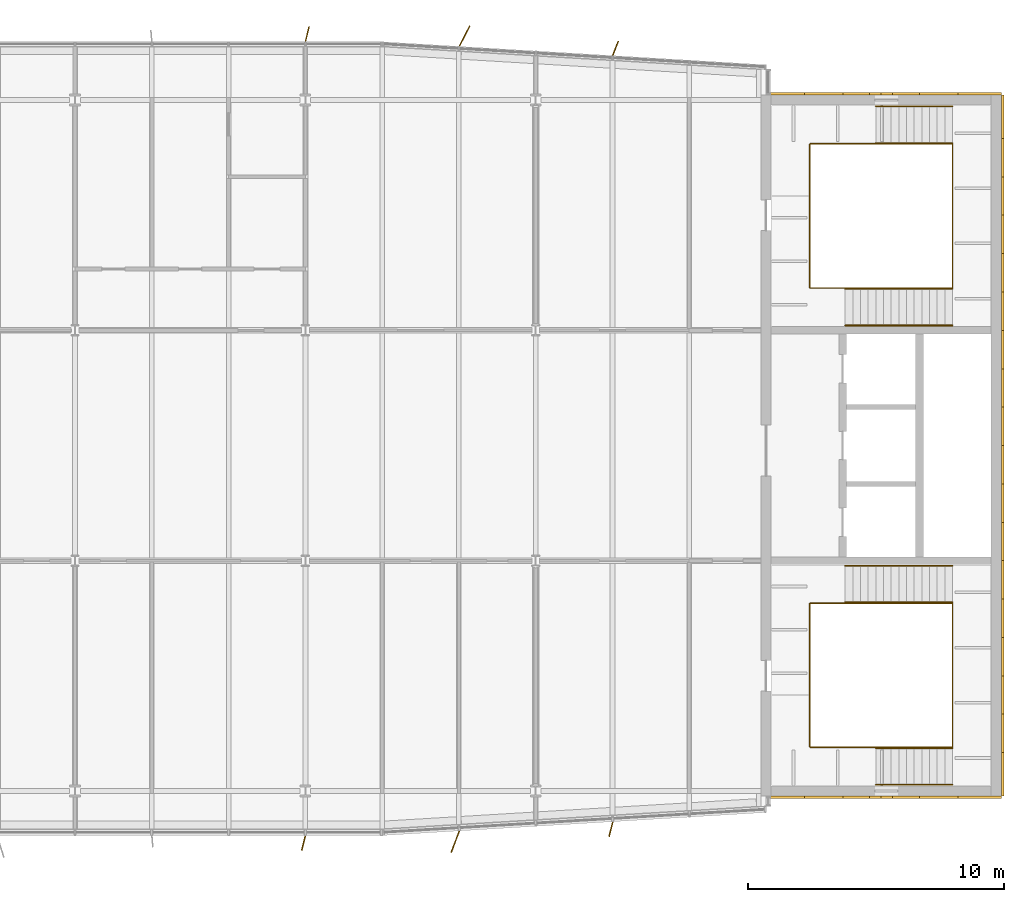
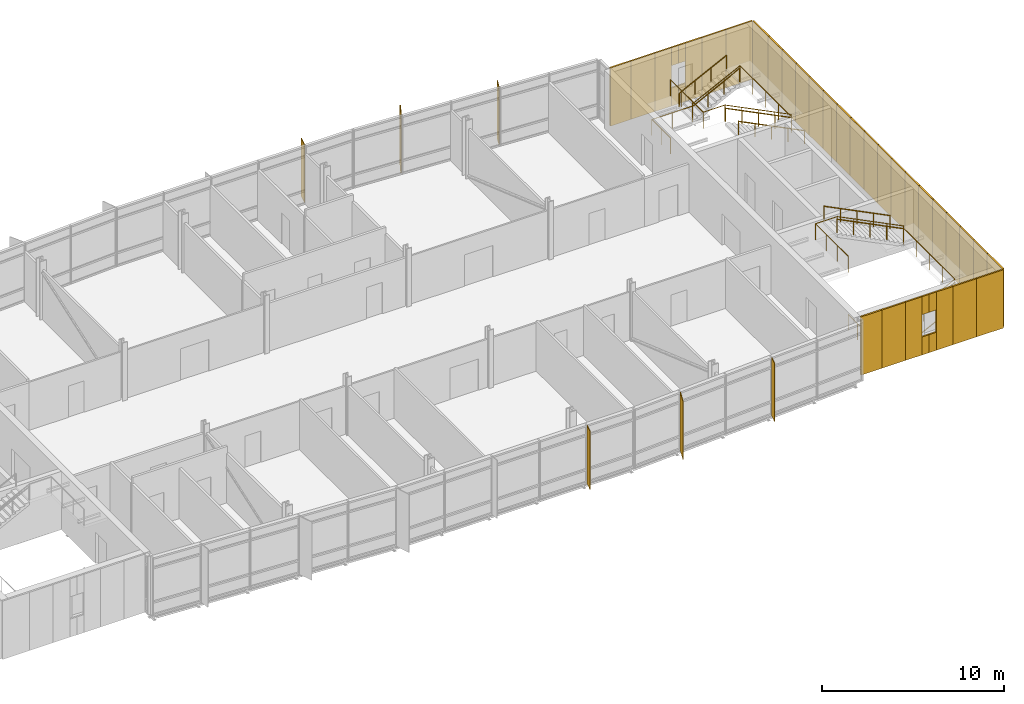
# One storey, part 21 of 21: 38 coverings, 10 railings, 6 shading devices.
"""IFC4 building model written with IfcOpenShell, lengths in metres."""

from ifc_helpers import new_model, si_unit, direction, frame, origin, origin_2d, place, context, subcontext, project, spatial, rectangle, circle, extrude, material, layer, layer_set, type_object, element, save


model = new_model("IFC4")

# Units and contexts
model_context = context("Model", 3, precision=1e-05, world=origin(), true_north=direction((0.0, 1.0)))
body_context = subcontext(model_context, "Body", "Model", "MODEL_VIEW")
ifc_project = project(units=[si_unit("LENGTHUNIT", "METRE"), si_unit("AREAUNIT", "SQUARE_METRE"), si_unit("VOLUMEUNIT", "CUBIC_METRE"), si_unit("PLANEANGLEUNIT", "RADIAN"), si_unit("MASSUNIT", "GRAM", prefix="KILO")], contexts=[model_context])

# Site, building, storey
site_placement = place(None, origin())
site = spatial("IfcSite", under=ifc_project, at=site_placement, CompositionType="ELEMENT")
building_placement = place(site_placement, origin())
building = spatial("IfcBuilding", under=site, at=building_placement, Name="Azimuth Sports and Learning Centre", CompositionType="ELEMENT")
storey_placement = place(building_placement, frame((0.0, 0.0, 48.0)))
storey = spatial("IfcBuildingStorey", under=building, at=storey_placement, Name="L10", CompositionType="ELEMENT", Elevation=48.0)

# Coverings
ifc_material_1 = material(Name="Cladding panel")
ifc_layer_1 = layer(ifc_material_1, 0.10009765625)
ifc_layer_set_1 = layer_set([ifc_layer_1], Name="Cladding panel")
covering_type = type_object("IfcCoveringType", Name="Cladding panel 100", PredefinedType="CLADDING", material=ifc_layer_set_1)
covering_1_placement = place(storey_placement, frame((108.840087890625, 89.75, 0.0), z_axis=(0.0, 0.0, 1.0), x_axis=(1.0, 0.0, 0.0)))
element("IfcCovering", 1, at=covering_1_placement, inside=storey, type_object=covering_type, Name="Cladding panel S-CORE E L10 1", PredefinedType="CLADDING", context=body_context, shape_type="SweptSolid", body=[
    extrude(rectangle(XDim=1.320068359375, YDim=0.10009765625, at=origin_2d()), origin(), (0.0, 0.0, 1.0), 3.89990234375),
])
covering_2_placement = place(storey_placement, frame((110.25, 89.75, 0.0), z_axis=(0.0, 0.0, 1.0), x_axis=(1.0, 0.0, 0.0)))
element("IfcCovering", 2, at=covering_2_placement, inside=storey, type_object=covering_type, Name="Cladding panel S-CORE E L10 2", PredefinedType="CLADDING", context=body_context, shape_type="SweptSolid", body=[
    extrude(rectangle(XDim=1.5, YDim=0.10009765625, at=origin_2d()), origin(), (0.0, 0.0, 1.0), 3.89990234375),
])
covering_3_placement = place(storey_placement, frame((111.52490234375, 89.75, 0.0), z_axis=(0.0, 0.0, 1.0), x_axis=(1.0, 0.0, 0.0)))
element("IfcCovering", 3, at=covering_3_placement, inside=storey, type_object=covering_type, Name="Cladding panel S-CORE E L10 3", PredefinedType="CLADDING", context=body_context, shape_type="SweptSolid", body=[
    extrude(rectangle(XDim=1.050048828125, YDim=0.10009765625, at=origin_2d()), origin(), (0.0, 0.0, 1.0), 3.89990234375),
])
for number, where, z_axis, x_axis, name in (
    (4, (112.27490234375, 89.75, 0.0), (0.0, 0.0, 1.0), (1.0, 0.0, 0.0), "Cladding panel S-CORE E L10 4"),
    (5, (112.27490234375, 89.75, 2.7001953125), (0.0, 0.0, 1.0), (1.0, 0.0, 0.0), "Cladding panel S-CORE E L10 5"),
):
    element("IfcCovering", number, at=place(storey_placement, frame(where, z_axis=z_axis, x_axis=x_axis)), inside=storey, type_object=covering_type, Name=name, PredefinedType="CLADDING", context=body_context, shape_type="SweptSolid", body=[
        extrude(rectangle(XDim=0.449951171875, YDim=0.10009765625, at=origin_2d()), origin(), (0.0, 0.0, 1.0), 1.199951171875),
    ])
covering_4_placement = place(storey_placement, frame((113.47509765625, 89.75, 0.0), z_axis=(0.0, 0.0, 1.0), x_axis=(1.0, 0.0, 0.0)))
element("IfcCovering", 6, at=covering_4_placement, inside=storey, type_object=covering_type, Name="Cladding panel S-CORE E L10 6", PredefinedType="CLADDING", context=body_context, shape_type="SweptSolid", body=[
    extrude(rectangle(XDim=1.050048828125, YDim=0.10009765625, at=origin_2d()), origin(), (0.0, 0.0, 1.0), 3.89990234375),
])
for number, where, z_axis, x_axis, name in (
    (7, (112.72509765625, 89.75, 0.0), (0.0, 0.0, 1.0), (1.0, 0.0, 0.0), "Cladding panel S-CORE E L10 7"),
    (8, (112.72509765625, 89.75, 2.7001953125), (0.0, 0.0, 1.0), (1.0, 0.0, 0.0), "Cladding panel S-CORE E L10 8"),
):
    element("IfcCovering", number, at=place(storey_placement, frame(where, z_axis=z_axis, x_axis=x_axis)), inside=storey, type_object=covering_type, Name=name, PredefinedType="CLADDING", context=body_context, shape_type="SweptSolid", body=[
        extrude(rectangle(XDim=0.449951171875, YDim=0.10009765625, at=origin_2d()), origin(), (0.0, 0.0, 1.0), 1.199951171875),
    ])
covering_5_placement = place(storey_placement, frame((114.75, 89.75, 0.0), z_axis=(0.0, 0.0, 1.0), x_axis=(1.0, 0.0, 0.0)))
element("IfcCovering", 9, at=covering_5_placement, inside=storey, type_object=covering_type, Name="Cladding panel S-CORE E L10 9", PredefinedType="CLADDING", context=body_context, shape_type="SweptSolid", body=[
    extrude(rectangle(XDim=1.5, YDim=0.10009765625, at=origin_2d()), origin(), (0.0, 0.0, 1.0), 3.89990234375),
])
for number, where, z_axis, x_axis, name in (
    (10, (116.35009765625, 89.75, 0.0), (0.0, 0.0, 1.0), (1.0, 0.0, 0.0), "Cladding panel S-CORE E L10 10"),
    (11, (117.25, 90.64990234375, 0.0), (0.0, 0.0, 1.0), (0.0, 1.0, 0.0), "Cladding panel E-CORE E L10 1"),
):
    element("IfcCovering", number, at=place(storey_placement, frame(where, z_axis=z_axis, x_axis=x_axis)), inside=storey, type_object=covering_type, Name=name, PredefinedType="CLADDING", context=body_context, shape_type="SweptSolid", body=[
        extrude(rectangle(XDim=1.699951171875, YDim=0.10009765625, at=origin_2d()), origin(), (0.0, 0.0, 1.0), 3.89990234375),
    ])
for number, where, z_axis, x_axis, name in (
    (12, (117.25, 92.25, 0.0), (0.0, 0.0, 1.0), (0.0, 1.0, 0.0), "Cladding panel E-CORE E L10 2"),
    (13, (117.25, 93.75, 0.0), (0.0, 0.0, 1.0), (0.0, 1.0, 0.0), "Cladding panel E-CORE E L10 3"),
    (14, (117.25, 95.25, 0.0), (0.0, 0.0, 1.0), (0.0, 1.0, 0.0), "Cladding panel E-CORE E L10 4"),
    (15, (117.25, 96.75, 0.0), (0.0, 0.0, 1.0), (0.0, 1.0, 0.0), "Cladding panel E-CORE E L10 5"),
    (16, (117.25, 98.25, 0.0), (0.0, 0.0, 1.0), (0.0, 1.0, 0.0), "Cladding panel E-CORE E L10 6"),
    (17, (117.25, 99.75, 0.0), (0.0, 0.0, 1.0), (0.0, 1.0, 0.0), "Cladding panel E-CORE E L10 7"),
    (18, (117.25, 101.25, 0.0), (0.0, 0.0, 1.0), (0.0, 1.0, 0.0), "Cladding panel E-CORE E L10 8"),
    (19, (117.25, 102.75, 0.0), (0.0, 0.0, 1.0), (0.0, 1.0, 0.0), "Cladding panel E-CORE E L10 9"),
    (20, (117.25, 104.25, 0.0), (0.0, 0.0, 1.0), (0.0, 1.0, 0.0), "Cladding panel E-CORE E L10 10"),
    (21, (117.25, 105.75, 0.0), (0.0, 0.0, 1.0), (0.0, 1.0, 0.0), "Cladding panel E-CORE E L10 11"),
    (22, (117.25, 107.25, 0.0), (0.0, 0.0, 1.0), (0.0, 1.0, 0.0), "Cladding panel E-CORE E L10 12"),
    (23, (117.25, 108.75, 0.0), (0.0, 0.0, 1.0), (0.0, 1.0, 0.0), "Cladding panel E-CORE E L10 13"),
    (24, (117.25, 110.25, 0.0), (0.0, 0.0, 1.0), (0.0, 1.0, 0.0), "Cladding panel E-CORE E L10 14"),
    (25, (117.25, 111.75, 0.0), (0.0, 0.0, 1.0), (0.0, 1.0, 0.0), "Cladding panel E-CORE E L10 15"),
    (26, (117.25, 113.25, 0.0), (0.0, 0.0, 1.0), (0.0, 1.0, 0.0), "Cladding panel E-CORE E L10 16"),
    (27, (117.25, 114.75, 0.0), (0.0, 0.0, 1.0), (0.0, 1.0, 0.0), "Cladding panel E-CORE E L10 17"),
):
    element("IfcCovering", number, at=place(storey_placement, frame(where, z_axis=z_axis, x_axis=x_axis)), inside=storey, type_object=covering_type, Name=name, PredefinedType="CLADDING", context=body_context, shape_type="SweptSolid", body=[
        extrude(rectangle(XDim=1.5, YDim=0.10009765625, at=origin_2d()), origin(), (0.0, 0.0, 1.0), 3.89990234375),
    ])
for number, where, z_axis, x_axis, name in (
    (28, (117.25, 116.35009765625, 0.0), (0.0, 0.0, 1.0), (0.0, 1.0, 0.0), "Cladding panel E-CORE E L10 18"),
    (29, (116.35009765625, 117.25, 0.0), (0.0, 0.0, 1.0), (-1.0, 0.0, 0.0), "Cladding panel N-CORE E L10 1"),
):
    element("IfcCovering", number, at=place(storey_placement, frame(where, z_axis=z_axis, x_axis=x_axis)), inside=storey, type_object=covering_type, Name=name, PredefinedType="CLADDING", context=body_context, shape_type="SweptSolid", body=[
        extrude(rectangle(XDim=1.699951171875, YDim=0.10009765625, at=origin_2d()), origin(), (0.0, 0.0, 1.0), 3.89990234375),
    ])
covering_6_placement = place(storey_placement, frame((114.75, 117.25, 0.0), z_axis=(0.0, 0.0, 1.0), x_axis=(-1.0, 0.0, 0.0)))
element("IfcCovering", 30, at=covering_6_placement, inside=storey, type_object=covering_type, Name="Cladding panel N-CORE E L10 2", PredefinedType="CLADDING", context=body_context, shape_type="SweptSolid", body=[
    extrude(rectangle(XDim=1.5, YDim=0.10009765625, at=origin_2d()), origin(), (0.0, 0.0, 1.0), 3.89990234375),
])
covering_7_placement = place(storey_placement, frame((113.47509765625, 117.25, 0.0), z_axis=(0.0, 0.0, 1.0), x_axis=(-1.0, 0.0, 0.0)))
element("IfcCovering", 31, at=covering_7_placement, inside=storey, type_object=covering_type, Name="Cladding panel N-CORE E L10 3", PredefinedType="CLADDING", context=body_context, shape_type="SweptSolid", body=[
    extrude(rectangle(XDim=1.050048828125, YDim=0.10009765625, at=origin_2d()), origin(), (0.0, 0.0, 1.0), 3.89990234375),
])
for number, where, z_axis, x_axis, name in (
    (32, (112.72509765625, 117.25, 0.0), (0.0, 0.0, 1.0), (-1.0, 0.0, 0.0), "Cladding panel N-CORE E L10 4"),
    (33, (112.72509765625, 117.25, 2.7001953125), (0.0, 0.0, 1.0), (-1.0, 0.0, 0.0), "Cladding panel N-CORE E L10 5"),
):
    element("IfcCovering", number, at=place(storey_placement, frame(where, z_axis=z_axis, x_axis=x_axis)), inside=storey, type_object=covering_type, Name=name, PredefinedType="CLADDING", context=body_context, shape_type="SweptSolid", body=[
        extrude(rectangle(XDim=0.449951171875, YDim=0.10009765625, at=origin_2d()), origin(), (0.0, 0.0, 1.0), 1.199951171875),
    ])
covering_8_placement = place(storey_placement, frame((111.52490234375, 117.25, 0.0), z_axis=(0.0, 0.0, 1.0), x_axis=(-1.0, 0.0, 0.0)))
element("IfcCovering", 34, at=covering_8_placement, inside=storey, type_object=covering_type, Name="Cladding panel N-CORE E L10 6", PredefinedType="CLADDING", context=body_context, shape_type="SweptSolid", body=[
    extrude(rectangle(XDim=1.050048828125, YDim=0.10009765625, at=origin_2d()), origin(), (0.0, 0.0, 1.0), 3.89990234375),
])
for number, where, z_axis, x_axis, name in (
    (35, (112.27490234375, 117.25, 0.0), (0.0, 0.0, 1.0), (-1.0, 0.0, 0.0), "Cladding panel N-CORE E L10 7"),
    (36, (112.27490234375, 117.25, 2.7001953125), (0.0, 0.0, 1.0), (-1.0, 0.0, 0.0), "Cladding panel N-CORE E L10 8"),
):
    element("IfcCovering", number, at=place(storey_placement, frame(where, z_axis=z_axis, x_axis=x_axis)), inside=storey, type_object=covering_type, Name=name, PredefinedType="CLADDING", context=body_context, shape_type="SweptSolid", body=[
        extrude(rectangle(XDim=0.449951171875, YDim=0.10009765625, at=origin_2d()), origin(), (0.0, 0.0, 1.0), 1.199951171875),
    ])
covering_9_placement = place(storey_placement, frame((110.25, 117.25, 0.0), z_axis=(0.0, 0.0, 1.0), x_axis=(-1.0, 0.0, 0.0)))
element("IfcCovering", 37, at=covering_9_placement, inside=storey, type_object=covering_type, Name="Cladding panel N-CORE E L10 9", PredefinedType="CLADDING", context=body_context, shape_type="SweptSolid", body=[
    extrude(rectangle(XDim=1.5, YDim=0.10009765625, at=origin_2d()), origin(), (0.0, 0.0, 1.0), 3.89990234375),
])
covering_10_placement = place(storey_placement, frame((108.840087890625, 117.25, 0.0), z_axis=(0.0, 0.0, 1.0), x_axis=(-1.0, 0.0, 0.0)))
element("IfcCovering", 38, at=covering_10_placement, inside=storey, type_object=covering_type, Name="Cladding panel N-CORE E L10 10", PredefinedType="CLADDING", context=body_context, shape_type="SweptSolid", body=[
    extrude(rectangle(XDim=1.320068359375, YDim=0.10009765625, at=origin_2d()), origin(), (0.0, 0.0, 1.0), 3.89990234375),
])

# Shading devices
ifc_material_2 = material(Name="Aluminium", Category="aluminium")
ifc_layer_2 = layer(ifc_material_2, 0.0400390625)
ifc_layer_set_2 = layer_set([ifc_layer_2], Name="Aluminium")
shading_device_type_1 = type_object("IfcShadingDeviceType", Name="Shading fin 600", PredefinedType="JALOUSIE", material=ifc_layer_set_2)
for number, where, z_axis, x_axis, name in (
    (39, (89.927001953125, 87.968994140625, 0.0), (0.0, 0.0, 1.0), (-0.243730896369, -0.969842899729, 0.0), "Shading fin F10-005"),
    (40, (101.939697265625, 88.509765625, 0.0), (0.0, 0.0, 1.0), (-0.24872137434, -0.968575076051, 0.0), "Shading fin F10-007"),
    (41, (102.11962890625, 119.019287109375, 0.0), (0.0, 0.0, 1.0), (0.362748531664, 0.931887065462, 0.0), "Shading fin F10-008"),
    (42, (90.072998046875, 119.571044921875, 0.0), (0.0, 0.0, 1.0), (0.243730896369, 0.969842899729, 0.0), "Shading fin F10-010"),
):
    element("IfcShadingDevice", number, at=place(storey_placement, frame(where, z_axis=z_axis, x_axis=x_axis)), inside=storey, type_object=shading_device_type_1, Name=name, PredefinedType="JALOUSIE", context=body_context, shape_type="SweptSolid", body=[
        extrude(rectangle(XDim=0.60009765625, YDim=0.0400390625, at=origin_2d()), origin(), (0.0, 0.0, 1.0), 3.89990234375),
    ])
ifc_material_3 = material(Name="Aluminium", Category="aluminium")
ifc_layer_3 = layer(ifc_material_3, 0.0400390625)
ifc_layer_set_3 = layer_set([ifc_layer_3], Name="Aluminium")
shading_device_type_2 = type_object("IfcShadingDeviceType", Name="Shading fin 900", PredefinedType="JALOUSIE", material=ifc_layer_set_3)
for number, where, z_axis, x_axis, name in (
    (43, (95.857177734375, 88.018798828125, 0.0), (0.0, 0.0, 1.0), (-0.349143100646, -0.937069418598, 0.0), "Shading fin F10-006"),
    (44, (96.21728515625, 119.49951171875, 0.0), (0.0, 0.0, 1.0), (0.458682723789, 0.888600111916, 0.0), "Shading fin F10-009"),
):
    element("IfcShadingDevice", number, at=place(storey_placement, frame(where, z_axis=z_axis, x_axis=x_axis)), inside=storey, type_object=shading_device_type_2, Name=name, PredefinedType="JALOUSIE", context=body_context, shape_type="SweptSolid", body=[
        extrude(rectangle(XDim=0.89990234375, YDim=0.0400390625, at=origin_2d()), origin(), (0.0, 0.0, 1.0), 3.89990234375),
    ])

# Railings
ifc_material_4 = material(Name="Stainless steel", Category="steel")
railing_type_1 = type_object("IfcRailingType", Name="Stair guard 1100", PredefinedType="GUARDRAIL", material=ifc_material_4)
railing_1_placement = place(storey_placement, frame((109.7099609375, 93.75, 0.0)))
element("IfcRailing", 45, at=railing_1_placement, inside=storey, type_object=railing_type_1, Name="Guard E1 L10 well", PredefinedType="GUARDRAIL", context=body_context, shape_type="SweptSolid", body=[
    extrude(circle(Radius=0.02392578125, at=origin_2d()), frame((0.0, 0.0, 1.076171875), z_axis=(0.0, -1.0, 0.0), x_axis=(1.0, 0.0, 0.0)), (0.0, 0.0, 1.0), 2.0400390625),
    extrude(circle(Radius=0.02392578125, at=origin_2d()), frame((0.0, -2.0400390625, 1.076171875), z_axis=(1.0, 0.0, 0.0), x_axis=(0.0, 1.0, 0.0)), (0.0, 0.0, 1.0), 2.580078125),
    extrude(circle(Radius=0.02392578125, at=origin_2d()), frame((2.580078125, -2.0400390625, 1.076171875), z_axis=(0.0, 0.0, 1.0), x_axis=(1.0, 0.0, 0.0)), (0.0, 0.0, 1.0), 0.14990234375),
    extrude(circle(Radius=0.02392578125, at=origin_2d()), frame((2.580078125, -2.0400390625, 1.22607421875), z_axis=(0.894427191, 0.0, 0.4472135955), x_axis=(0.0, 1.0, 0.0)), (0.0, 0.0, 1.0), 3.35400390625),
    extrude(circle(Radius=0.02392578125, at=origin_2d()), frame((5.580078125, -2.0400390625, 2.72607421875), z_axis=(0.0, 1.0, 0.0), x_axis=(-1.0, 0.0, 0.0)), (0.0, 0.0, 1.0), 5.630126953125),
    extrude(circle(Radius=0.02392578125, at=origin_2d()), frame((5.580078125, 3.590087890625, 2.72607421875), z_axis=(0.0, 0.0, 1.0), x_axis=(1.0, 0.0, 0.0)), (0.0, 0.0, 1.0), 0.150146484375),
    extrude(circle(Radius=0.02392578125, at=origin_2d()), frame((5.580078125, 3.590087890625, 2.8759765625), z_axis=(-0.894437589381, 0.0, 0.447192798132), x_axis=(0.0, -1.0, 0.0)), (0.0, 0.0, 1.0), 4.695556640625),
    extrude(circle(Radius=0.02392578125, at=origin_2d()), frame((1.380126953125, 3.590087890625, 4.97607421875), z_axis=(-1.0, 0.0, 0.0), x_axis=(0.0, -1.0, 0.0)), (0.0, 0.0, 1.0), 1.380126953125),
    extrude(circle(Radius=0.02392578125, at=origin_2d()), frame((0.0, 3.590087890625, 4.97607421875), z_axis=(0.0, -1.0, 0.0), x_axis=(1.0, 0.0, 0.0)), (0.0, 0.0, 1.0), 3.590087890625),
    extrude(circle(Radius=0.01611328125, at=origin_2d()), origin(), (0.0, 0.0, 1.0), 1.052001953125),
    extrude(circle(Radius=0.01611328125, at=origin_2d()), frame((0.0, -1.02001953125, 0.0)), (0.0, 0.0, 1.0), 1.052001953125),
    extrude(circle(Radius=0.01611328125, at=origin_2d()), frame((0.0, -2.0400390625, 0.0)), (0.0, 0.0, 1.0), 1.052001953125),
    extrude(circle(Radius=0.01611328125, at=origin_2d()), frame((1.2900390625, -2.0400390625, 0.0)), (0.0, 0.0, 1.0), 1.052001953125),
    extrude(circle(Radius=0.01611328125, at=origin_2d()), frame((2.580078125, -2.0400390625, 0.0)), (0.0, 0.0, 1.0), 1.052001953125),
    extrude(circle(Radius=0.01611328125, at=origin_2d()), frame((2.580078125, -2.0400390625, 0.14990234375)), (0.0, 0.0, 1.0), 1.052001953125),
    extrude(circle(Radius=0.01611328125, at=origin_2d()), frame((3.580078125, -2.0400390625, 0.64990234375)), (0.0, 0.0, 1.0), 1.052001953125),
    extrude(circle(Radius=0.01611328125, at=origin_2d()), frame((4.580078125, -2.0400390625, 1.14990234375)), (0.0, 0.0, 1.0), 1.052001953125),
    extrude(circle(Radius=0.01611328125, at=origin_2d()), frame((5.580078125, -2.0400390625, 1.64990234375)), (0.0, 0.0, 1.0), 1.052001953125),
    extrude(circle(Radius=0.01611328125, at=origin_2d()), frame((5.580078125, -0.632568359375, 1.64990234375)), (0.0, 0.0, 1.0), 1.052001953125),
    extrude(circle(Radius=0.01611328125, at=origin_2d()), frame((5.580078125, 0.77490234375, 1.64990234375)), (0.0, 0.0, 1.0), 1.052001953125),
    extrude(circle(Radius=0.01611328125, at=origin_2d()), frame((5.580078125, 2.1826171875, 1.64990234375)), (0.0, 0.0, 1.0), 1.052001953125),
    extrude(circle(Radius=0.01611328125, at=origin_2d()), frame((5.580078125, 3.590087890625, 1.64990234375)), (0.0, 0.0, 1.0), 1.052001953125),
    extrude(circle(Radius=0.01611328125, at=origin_2d()), frame((5.580078125, 3.590087890625, 1.800048828125)), (0.0, 0.0, 1.0), 1.052001953125),
    extrude(circle(Radius=0.01611328125, at=origin_2d()), frame((4.530029296875, 3.590087890625, 2.324951171875)), (0.0, 0.0, 1.0), 1.052001953125),
    extrude(circle(Radius=0.01611328125, at=origin_2d()), frame((3.47998046875, 3.590087890625, 2.85009765625)), (0.0, 0.0, 1.0), 1.052001953125),
    extrude(circle(Radius=0.01611328125, at=origin_2d()), frame((2.43017578125, 3.590087890625, 3.375)), (0.0, 0.0, 1.0), 1.052001953125),
    extrude(circle(Radius=0.01611328125, at=origin_2d()), frame((1.380126953125, 3.590087890625, 3.89990234375)), (0.0, 0.0, 1.0), 1.052001953125),
    extrude(circle(Radius=0.01611328125, at=origin_2d()), frame((0.0, 3.590087890625, 3.89990234375)), (0.0, 0.0, 1.0), 1.052001953125),
    extrude(circle(Radius=0.01611328125, at=origin_2d()), frame((0.0, 2.393310546875, 3.89990234375)), (0.0, 0.0, 1.0), 1.052001953125),
    extrude(circle(Radius=0.01611328125, at=origin_2d()), frame((0.0, 1.19677734375, 3.89990234375)), (0.0, 0.0, 1.0), 1.052001953125),
    extrude(circle(Radius=0.01611328125, at=origin_2d()), frame((0.0, 0.0, 3.89990234375)), (0.0, 0.0, 1.0), 1.052001953125),
])
railing_2_placement = place(storey_placement, frame((109.7099609375, 113.25, 0.0)))
element("IfcRailing", 46, at=railing_2_placement, inside=storey, type_object=railing_type_1, Name="Guard E2 L10 well", PredefinedType="GUARDRAIL", context=body_context, shape_type="SweptSolid", body=[
    extrude(circle(Radius=0.02392578125, at=origin_2d()), frame((0.0, 0.0, 1.076171875), z_axis=(0.0, 1.0, 0.0), x_axis=(-1.0, 0.0, 0.0)), (0.0, 0.0, 1.0), 2.0400390625),
    extrude(circle(Radius=0.02392578125, at=origin_2d()), frame((0.0, 2.0400390625, 1.076171875), z_axis=(1.0, 0.0, 0.0), x_axis=(0.0, 1.0, 0.0)), (0.0, 0.0, 1.0), 2.580078125),
    extrude(circle(Radius=0.02392578125, at=origin_2d()), frame((2.580078125, 2.0400390625, 1.076171875), z_axis=(0.0, 0.0, 1.0), x_axis=(1.0, 0.0, 0.0)), (0.0, 0.0, 1.0), 0.14990234375),
    extrude(circle(Radius=0.02392578125, at=origin_2d()), frame((2.580078125, 2.0400390625, 1.22607421875), z_axis=(0.894427191, 0.0, 0.4472135955), x_axis=(0.0, 1.0, 0.0)), (0.0, 0.0, 1.0), 3.35400390625),
    extrude(circle(Radius=0.02392578125, at=origin_2d()), frame((5.580078125, 2.0400390625, 2.72607421875), z_axis=(0.0, -1.0, 0.0), x_axis=(1.0, 0.0, 0.0)), (0.0, 0.0, 1.0), 5.630126953125),
    extrude(circle(Radius=0.02392578125, at=origin_2d()), frame((5.580078125, -3.590087890625, 2.72607421875), z_axis=(0.0, 0.0, 1.0), x_axis=(1.0, 0.0, 0.0)), (0.0, 0.0, 1.0), 0.150146484375),
    extrude(circle(Radius=0.02392578125, at=origin_2d()), frame((5.580078125, -3.590087890625, 2.8759765625), z_axis=(-0.894437589381, 0.0, 0.447192798132), x_axis=(0.0, -1.0, 0.0)), (0.0, 0.0, 1.0), 4.695556640625),
    extrude(circle(Radius=0.02392578125, at=origin_2d()), frame((1.380126953125, -3.590087890625, 4.97607421875), z_axis=(-1.0, 0.0, 0.0), x_axis=(0.0, -1.0, 0.0)), (0.0, 0.0, 1.0), 1.380126953125),
    extrude(circle(Radius=0.02392578125, at=origin_2d()), frame((0.0, -3.590087890625, 4.97607421875), z_axis=(0.0, 1.0, 0.0), x_axis=(-1.0, 0.0, 0.0)), (0.0, 0.0, 1.0), 3.590087890625),
    extrude(circle(Radius=0.01611328125, at=origin_2d()), origin(), (0.0, 0.0, 1.0), 1.052001953125),
    extrude(circle(Radius=0.01611328125, at=origin_2d()), frame((0.0, 1.02001953125, 0.0)), (0.0, 0.0, 1.0), 1.052001953125),
    extrude(circle(Radius=0.01611328125, at=origin_2d()), frame((0.0, 2.0400390625, 0.0)), (0.0, 0.0, 1.0), 1.052001953125),
    extrude(circle(Radius=0.01611328125, at=origin_2d()), frame((1.2900390625, 2.0400390625, 0.0)), (0.0, 0.0, 1.0), 1.052001953125),
    extrude(circle(Radius=0.01611328125, at=origin_2d()), frame((2.580078125, 2.0400390625, 0.0)), (0.0, 0.0, 1.0), 1.052001953125),
    extrude(circle(Radius=0.01611328125, at=origin_2d()), frame((2.580078125, 2.0400390625, 0.14990234375)), (0.0, 0.0, 1.0), 1.052001953125),
    extrude(circle(Radius=0.01611328125, at=origin_2d()), frame((3.580078125, 2.0400390625, 0.64990234375)), (0.0, 0.0, 1.0), 1.052001953125),
    extrude(circle(Radius=0.01611328125, at=origin_2d()), frame((4.580078125, 2.0400390625, 1.14990234375)), (0.0, 0.0, 1.0), 1.052001953125),
    extrude(circle(Radius=0.01611328125, at=origin_2d()), frame((5.580078125, 2.0400390625, 1.64990234375)), (0.0, 0.0, 1.0), 1.052001953125),
    extrude(circle(Radius=0.01611328125, at=origin_2d()), frame((5.580078125, 0.632568359375, 1.64990234375)), (0.0, 0.0, 1.0), 1.052001953125),
    extrude(circle(Radius=0.01611328125, at=origin_2d()), frame((5.580078125, -0.77490234375, 1.64990234375)), (0.0, 0.0, 1.0), 1.052001953125),
    extrude(circle(Radius=0.01611328125, at=origin_2d()), frame((5.580078125, -2.1826171875, 1.64990234375)), (0.0, 0.0, 1.0), 1.052001953125),
    extrude(circle(Radius=0.01611328125, at=origin_2d()), frame((5.580078125, -3.590087890625, 1.64990234375)), (0.0, 0.0, 1.0), 1.052001953125),
    extrude(circle(Radius=0.01611328125, at=origin_2d()), frame((5.580078125, -3.590087890625, 1.800048828125)), (0.0, 0.0, 1.0), 1.052001953125),
    extrude(circle(Radius=0.01611328125, at=origin_2d()), frame((4.530029296875, -3.590087890625, 2.324951171875)), (0.0, 0.0, 1.0), 1.052001953125),
    extrude(circle(Radius=0.01611328125, at=origin_2d()), frame((3.47998046875, -3.590087890625, 2.85009765625)), (0.0, 0.0, 1.0), 1.052001953125),
    extrude(circle(Radius=0.01611328125, at=origin_2d()), frame((2.43017578125, -3.590087890625, 3.375)), (0.0, 0.0, 1.0), 1.052001953125),
    extrude(circle(Radius=0.01611328125, at=origin_2d()), frame((1.380126953125, -3.590087890625, 3.89990234375)), (0.0, 0.0, 1.0), 1.052001953125),
    extrude(circle(Radius=0.01611328125, at=origin_2d()), frame((0.0, -3.590087890625, 3.89990234375)), (0.0, 0.0, 1.0), 1.052001953125),
    extrude(circle(Radius=0.01611328125, at=origin_2d()), frame((0.0, -2.393310546875, 3.89990234375)), (0.0, 0.0, 1.0), 1.052001953125),
    extrude(circle(Radius=0.01611328125, at=origin_2d()), frame((0.0, -1.19677734375, 3.89990234375)), (0.0, 0.0, 1.0), 1.052001953125),
    extrude(circle(Radius=0.01611328125, at=origin_2d()), frame((0.0, 0.0, 3.89990234375)), (0.0, 0.0, 1.0), 1.052001953125),
])
ifc_material_5 = material(Name="Stainless steel", Category="steel")
railing_type_2 = type_object("IfcRailingType", Name="Stair handrail 42", PredefinedType="HANDRAIL", material=ifc_material_5)
for number, where, name in (
    (47, (112.2900390625, 91.679931640625, 0.14990234375), "Handrail E1 L10 flight 1 inner"),
    (48, (112.2900390625, 90.239990234375, 0.14990234375), "Handrail E1 L10 flight 1 outer"),
):
    element("IfcRailing", number, at=place(storey_placement, frame(where)), inside=storey, type_object=railing_type_2, Name=name, PredefinedType="HANDRAIL", context=body_context, shape_type="SweptSolid", body=[
        extrude(circle(Radius=0.02099609375, at=origin_2d()), frame((0.0, 0.0, 0.87890625), z_axis=(0.894427191, 0.0, 0.4472135955), x_axis=(0.0, 1.0, 0.0)), (0.0, 0.0, 1.0), 3.35400390625),
        extrude(circle(Radius=0.01611328125, at=origin_2d()), origin(), (0.0, 0.0, 1.0), 0.85791015625),
        extrude(circle(Radius=0.01611328125, at=origin_2d()), frame((1.0, 0.0, 0.5)), (0.0, 0.0, 1.0), 0.85791015625),
        extrude(circle(Radius=0.01611328125, at=origin_2d()), frame((2.0, 0.0, 1.0)), (0.0, 0.0, 1.0), 0.85791015625),
        extrude(circle(Radius=0.01611328125, at=origin_2d()), frame((3.0, 0.0, 1.5)), (0.0, 0.0, 1.0), 0.85791015625),
    ])
for number, where, name in (
    (49, (115.2900390625, 97.3701171875, 1.800048828125), "Handrail E1 L10 flight 2 inner"),
    (50, (115.2900390625, 98.81005859375, 1.800048828125), "Handrail E1 L10 flight 2 outer"),
):
    element("IfcRailing", number, at=place(storey_placement, frame(where)), inside=storey, type_object=railing_type_2, Name=name, PredefinedType="HANDRAIL", context=body_context, shape_type="SweptSolid", body=[
        extrude(circle(Radius=0.02099609375, at=origin_2d()), frame((0.0, 0.0, 0.87890625), z_axis=(-0.894437589381, 0.0, 0.447192798132), x_axis=(0.0, -1.0, 0.0)), (0.0, 0.0, 1.0), 4.695556640625),
        extrude(circle(Radius=0.01611328125, at=origin_2d()), origin(), (0.0, 0.0, 1.0), 0.85791015625),
        extrude(circle(Radius=0.01611328125, at=origin_2d()), frame((-1.050048828125, 0.0, 0.52490234375)), (0.0, 0.0, 1.0), 0.85791015625),
        extrude(circle(Radius=0.01611328125, at=origin_2d()), frame((-2.10009765625, 0.0, 1.0498046875)), (0.0, 0.0, 1.0), 0.85791015625),
        extrude(circle(Radius=0.01611328125, at=origin_2d()), frame((-3.14990234375, 0.0, 1.574951171875)), (0.0, 0.0, 1.0), 0.85791015625),
        extrude(circle(Radius=0.01611328125, at=origin_2d()), frame((-4.199951171875, 0.0, 2.099853515625)), (0.0, 0.0, 1.0), 0.85791015625),
    ])
for number, where, name in (
    (51, (112.2900390625, 115.320068359375, 0.14990234375), "Handrail E2 L10 flight 1 inner"),
    (52, (112.2900390625, 116.760009765625, 0.14990234375), "Handrail E2 L10 flight 1 outer"),
):
    element("IfcRailing", number, at=place(storey_placement, frame(where)), inside=storey, type_object=railing_type_2, Name=name, PredefinedType="HANDRAIL", context=body_context, shape_type="SweptSolid", body=[
        extrude(circle(Radius=0.02099609375, at=origin_2d()), frame((0.0, 0.0, 0.87890625), z_axis=(0.894427191, 0.0, 0.4472135955), x_axis=(0.0, 1.0, 0.0)), (0.0, 0.0, 1.0), 3.35400390625),
        extrude(circle(Radius=0.01611328125, at=origin_2d()), origin(), (0.0, 0.0, 1.0), 0.85791015625),
        extrude(circle(Radius=0.01611328125, at=origin_2d()), frame((1.0, 0.0, 0.5)), (0.0, 0.0, 1.0), 0.85791015625),
        extrude(circle(Radius=0.01611328125, at=origin_2d()), frame((2.0, 0.0, 1.0)), (0.0, 0.0, 1.0), 0.85791015625),
        extrude(circle(Radius=0.01611328125, at=origin_2d()), frame((3.0, 0.0, 1.5)), (0.0, 0.0, 1.0), 0.85791015625),
    ])
for number, where, name in (
    (53, (115.2900390625, 109.6298828125, 1.800048828125), "Handrail E2 L10 flight 2 inner"),
    (54, (115.2900390625, 108.18994140625, 1.800048828125), "Handrail E2 L10 flight 2 outer"),
):
    element("IfcRailing", number, at=place(storey_placement, frame(where)), inside=storey, type_object=railing_type_2, Name=name, PredefinedType="HANDRAIL", context=body_context, shape_type="SweptSolid", body=[
        extrude(circle(Radius=0.02099609375, at=origin_2d()), frame((0.0, 0.0, 0.87890625), z_axis=(-0.894437589381, 0.0, 0.447192798132), x_axis=(0.0, -1.0, 0.0)), (0.0, 0.0, 1.0), 4.695556640625),
        extrude(circle(Radius=0.01611328125, at=origin_2d()), origin(), (0.0, 0.0, 1.0), 0.85791015625),
        extrude(circle(Radius=0.01611328125, at=origin_2d()), frame((-1.050048828125, 0.0, 0.52490234375)), (0.0, 0.0, 1.0), 0.85791015625),
        extrude(circle(Radius=0.01611328125, at=origin_2d()), frame((-2.10009765625, 0.0, 1.0498046875)), (0.0, 0.0, 1.0), 0.85791015625),
        extrude(circle(Radius=0.01611328125, at=origin_2d()), frame((-3.14990234375, 0.0, 1.574951171875)), (0.0, 0.0, 1.0), 0.85791015625),
        extrude(circle(Radius=0.01611328125, at=origin_2d()), frame((-4.199951171875, 0.0, 2.099853515625)), (0.0, 0.0, 1.0), 0.85791015625),
    ])

save(model, "model.ifc")
